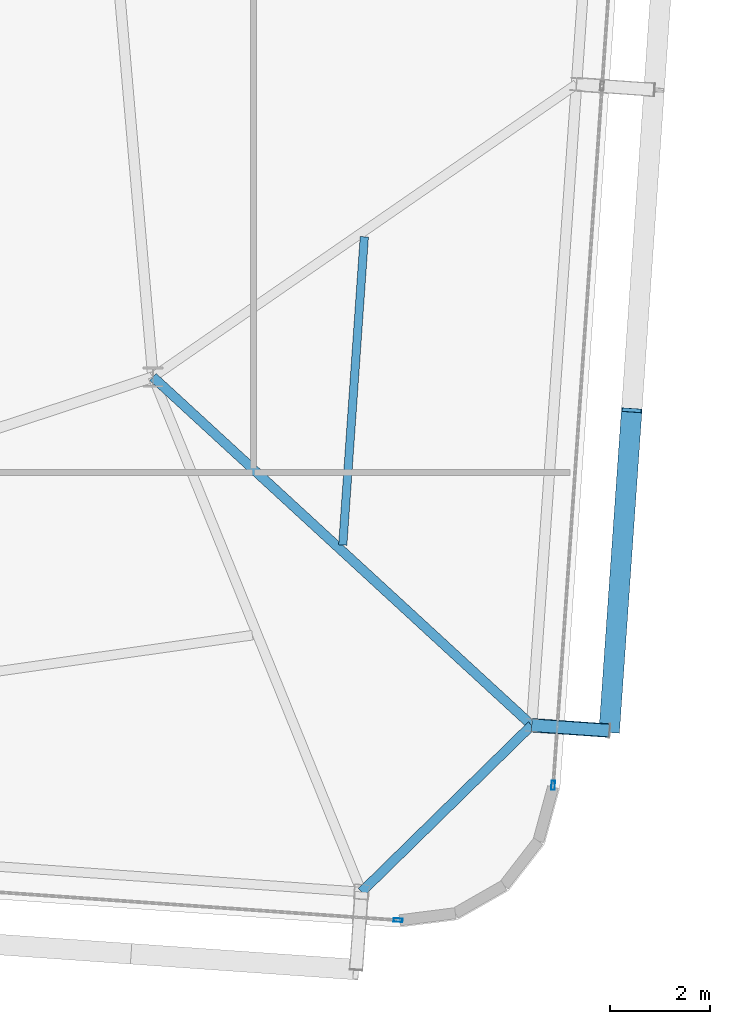
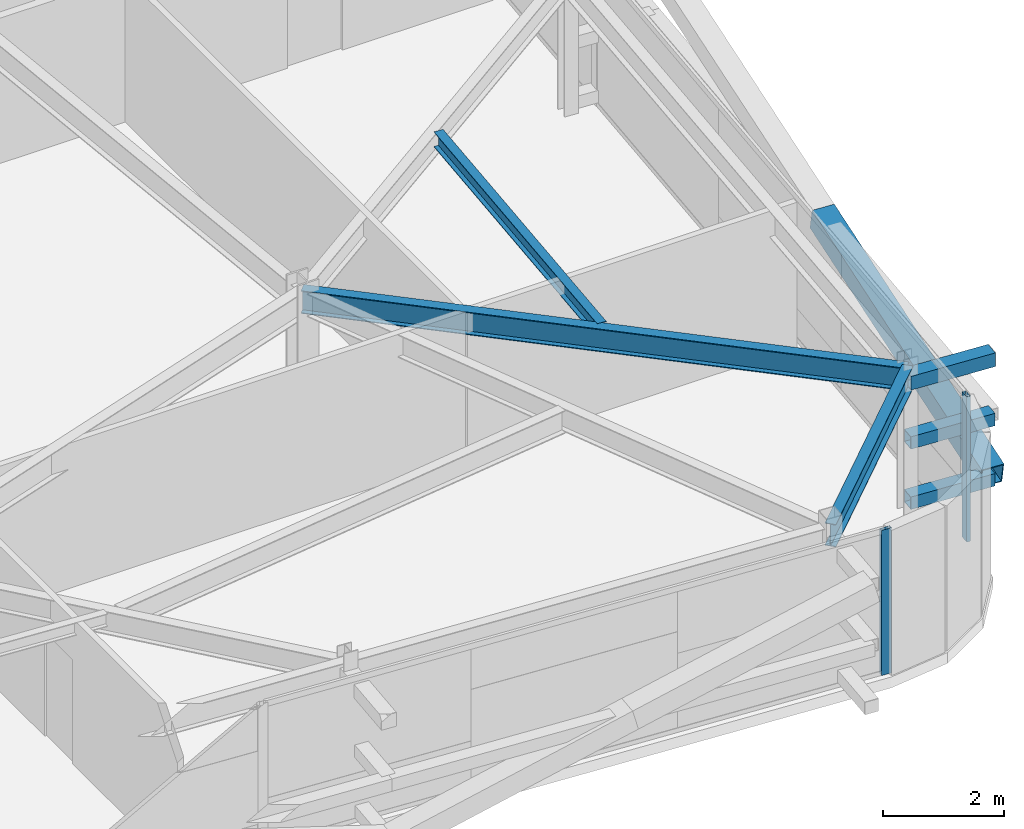
# One storey, part 15 of 39: 6 members, 3 beams, 2 elements without a shape of their own.
"""IFC4 building model written with IfcOpenShell, lengths in metres."""

from ifc_helpers import new_model, si_unit, direction, frame, origin, origin_2d, place, context, subcontext, project, spatial, hollow_rectangle, i_section, extrude, source, transform, mapped, material, layer, layer_set, material_profile, profile_set, type_object, element, aggregate, save


model = new_model("IFC4")

# Units and contexts
model_context = context("Model", 3, precision=1e-05, world=origin(), true_north=direction((0.0, 1.0)))
body_context = subcontext(model_context, "Body", "Model", "MODEL_VIEW")
ifc_project = project(units=[si_unit("LENGTHUNIT", "METRE"), si_unit("AREAUNIT", "SQUARE_METRE"), si_unit("VOLUMEUNIT", "CUBIC_METRE"), si_unit("PLANEANGLEUNIT", "RADIAN"), si_unit("MASSUNIT", "GRAM", prefix="KILO")], contexts=[model_context])

# Site, building, storey
site_placement = place(None, origin())
site = spatial("IfcSite", under=ifc_project, at=site_placement, CompositionType="ELEMENT")
building_placement = place(site_placement, origin())
building = spatial("IfcBuilding", under=site, at=building_placement, Name="Taldren Reach Tower", CompositionType="ELEMENT")
storey_placement = place(building_placement, frame((0.0, 0.0, 126.699951171875)))
storey = spatial("IfcBuildingStorey", under=building, at=storey_placement, Name="L38", CompositionType="ELEMENT", Elevation=126.699951171875)

# Members
ifc_material_1 = material(Name="Steel Gr 450 (C450L0)", Category="steel")
ifc_material_profile_1 = material_profile(ifc_material_1, hollow_rectangle(XDim=0.27490234375, YDim=0.27490234375, WallThickness=0.00927734375, at=origin_2d()), Name="275x275x9.3SHS")
ifc_profile_set_1 = profile_set([ifc_material_profile_1], Name="Steel Gr 450 (C450L0)")
member_type_1 = type_object("IfcMemberType", Name="MB-TIE273", PredefinedType="STRUT", material=ifc_profile_set_1)
shared_shape_1 = source(origin(), body_context, "Body", "SweptSolid", [
    extrude(hollow_rectangle(XDim=0.27490234375, YDim=0.27490234375, WallThickness=0.00927734375, at=origin_2d()), origin(), (0.0, 0.0, 1.0), 1.5498046875),
])
member_1_placement = place(storey_placement, frame((59.54541015625, 5.562744140625, 2.650146484375), z_axis=(0.997573320145, -0.069623781384, 0.0), x_axis=(0.069623781384, 0.997573320145, 0.0)))
element("IfcMember", 1, at=member_1_placement, inside=storey, type_object=member_type_1, Name="Exoskeleton diaphragm tie strut B3-E1 L38", PredefinedType="STRUT", context=body_context, shape_type="MappedRepresentation", body=[
    mapped(shared_shape_1, transform((0.0, 0.0, 0.0), scale=1.0)),
])
ifc_material_2 = material(Name="Steel Gr 350 (C350L0)", Category="steel")
ifc_material_profile_2 = material_profile(ifc_material_2, hollow_rectangle(XDim=0.25, YDim=0.25, WallThickness=0.010009765625, at=origin_2d()), Name="250x250x10.0SHS")
ifc_profile_set_2 = profile_set([ifc_material_profile_2], Name="Steel Gr 350 (C350L0)")
member_type_2 = type_object("IfcMemberType", Name="MB-POST250", PredefinedType="POST", material=ifc_profile_set_2)
shared_shape_2 = source(origin(), body_context, "Body", "SweptSolid", [
    extrude(hollow_rectangle(XDim=0.25, YDim=0.25, WallThickness=0.010009765625, at=origin_2d()), origin(), (0.0, 0.0, 1.0), 1.5498046875),
])
for number, where, z_axis, x_axis, name in (
    (2, (59.54541015625, 5.562744140625, 0.219970703125), (0.997573320145, -0.069623781384, 0.0), (0.069623781384, 0.997573320145, 0.0), "Exoskeleton base diaphragm tie strut B3-E1 L38"),
    (3, (59.54541015625, 5.562744140625, 1.43505859375), (0.997573320145, -0.069623781384, 0.0), (0.069623781384, 0.997573320145, 0.0), "Exoskeleton mid-tier diaphragm tie B3-E1 L38"),
):
    element("IfcMember", number, at=place(storey_placement, frame(where, z_axis=z_axis, x_axis=x_axis)), inside=storey, type_object=member_type_2, Name=name, PredefinedType="POST", context=body_context, shape_type="MappedRepresentation", body=[
        mapped(shared_shape_2, transform((0.0, 0.0, 0.0), scale=1.0)),
    ])

# Beams
ifc_material_3 = material(Name="Steel Gr 350 (350PLUS)", Category="steel")
ifc_material_profile_3 = material_profile(ifc_material_3, i_section(OverallWidth=0.18994140625, OverallDepth=0.4541015625, WebThickness=0.008544921875, FlangeThickness=0.0126953125, at=origin_2d()), Name="460UB67.1")
ifc_profile_set_3 = profile_set([ifc_material_profile_3], Name="Steel Gr 350 (350PLUS)")
beam_type_1 = type_object("IfcBeamType", Name="SP-UB460B", PredefinedType="SPANDREL", material=ifc_profile_set_3)
shared_shape_3 = source(origin(), body_context, "Body", "SweptSolid", [
    extrude(i_section(OverallWidth=0.18994140625, OverallDepth=0.4541015625, WebThickness=0.008544921875, FlangeThickness=0.0126953125, at=origin_2d()), origin(), (0.0, 0.0, 1.0), 4.745849609375),
])
beam_1_placement = place(storey_placement, frame((56.155517578125, 2.2412109375, 2.703125), z_axis=(0.714271982806, 0.699868226581, 0.0), x_axis=(-0.699868226581, 0.714271982806, 0.0)))
element("IfcBeam", 4, at=beam_1_placement, inside=storey, type_object=beam_type_1, Name="Perimeter spandrel B3 S6-E1 L38", PredefinedType="SPANDREL", context=body_context, shape_type="MappedRepresentation", body=[
    mapped(shared_shape_3, transform((0.0, 0.0, 0.0), scale=1.0)),
])
ifc_material_profile_4 = material_profile(ifc_material_3, i_section(OverallWidth=0.19091796875, OverallDepth=0.4599609375, WebThickness=0.010009765625, FlangeThickness=0.01611328125, at=origin_2d()), Name="460UB82.1")
ifc_profile_set_4 = profile_set([ifc_material_profile_4], Name="Steel Gr 350 (350PLUS)")
beam_type_2 = type_object("IfcBeamType", Name="BM-UB460A", PredefinedType="BEAM", material=ifc_profile_set_4)
shared_shape_4 = source(origin(), body_context, "Body", "SweptSolid", [
    extrude(i_section(OverallWidth=0.19091796875, OverallDepth=0.4599609375, WebThickness=0.010009765625, FlangeThickness=0.01611328125, at=origin_2d()), origin(), (0.0, 0.0, 1.0), 10.249755859375),
])
beam_2_placement = place(storey_placement, frame((52.0, 12.5, 2.699951171875), z_axis=(0.736150772628, -0.676817582483, 0.0), x_axis=(0.676817582483, 0.736150772628, 0.0)))
element("IfcBeam", 5, at=beam_2_placement, inside=storey, type_object=beam_type_2, Name="Primary floor girder B3-E1 L38", PredefinedType="BEAM", context=body_context, shape_type="MappedRepresentation", body=[
    mapped(shared_shape_4, transform((0.0, 0.0, 0.0), scale=1.0)),
])
ifc_material_4 = material(Name="Steel Gr 300 (300PLUS, 300 MPa)", Category="steel")
ifc_material_profile_5 = material_profile(ifc_material_4, i_section(OverallWidth=0.166015625, OverallDepth=0.306884765625, WebThickness=0.006591796875, FlangeThickness=0.01171875, at=origin_2d()), Name="310UB46.2")
ifc_profile_set_5 = profile_set([ifc_material_profile_5], Name="Steel Gr 300 (300PLUS, 300 MPa)")
beam_type_3 = type_object("IfcBeamType", Name="JS-UB310", PredefinedType="JOIST", material=ifc_profile_set_5)
shared_shape_5 = source(origin(), body_context, "Body", "SweptSolid", [
    extrude(i_section(OverallWidth=0.166015625, OverallDepth=0.306884765625, WebThickness=0.006591796875, FlangeThickness=0.01171875, at=origin_2d()), origin(), (0.0, 0.0, 1.0), 6.155517578125),
])
beam_3_placement = place(storey_placement, frame((55.78125, 9.1533203125, 2.776611328125), z_axis=(0.069764400024, 0.997563495969, 0.0), x_axis=(-0.997563495969, 0.069764400024, 0.0)))
element("IfcBeam", 6, at=beam_3_placement, inside=storey, type_object=beam_type_3, Name="Secondary floor joist B3 J7 L38", PredefinedType="JOIST", context=body_context, shape_type="MappedRepresentation", body=[
    mapped(shared_shape_5, transform((0.0, 0.0, 0.0), scale=1.0)),
])

# Member
ifc_material_profile_6 = material_profile(ifc_material_1, hollow_rectangle(XDim=0.409912109375, YDim=0.409912109375, WallThickness=0.01611328125, at=origin_2d()), Name="410x410x16.0SHS")
ifc_profile_set_6 = profile_set([ifc_material_profile_6], Name="Steel Gr 450 (C450L0)")
member_type_3 = type_object("IfcMemberType", Name="MB-EXO406", PredefinedType="BRACE", material=ifc_profile_set_6)
shared_shape_6 = source(origin(), body_context, "Body", "SweptSolid", [
    extrude(hollow_rectangle(XDim=0.409912109375, YDim=0.409912109375, WallThickness=0.01611328125, at=origin_2d()), origin(), (0.0, 0.0, 1.0), 6.51416015625),
])
member_2_placement = place(storey_placement, frame((61.091552734375, 5.454833984375, 0.219970703125), z_axis=(0.068547644544, 0.980055169399, 0.186529046964), x_axis=(-0.997562951496, 0.069772185021, 0.0)))
element("IfcMember", 7, at=member_2_placement, inside=storey, type_object=member_type_3, Name="Exoskeleton Diagrid Brace B3-E1 L38", PredefinedType="BRACE", context=body_context, shape_type="MappedRepresentation", body=[
    mapped(shared_shape_6, transform((0.0, 0.0, 0.0), scale=1.0)),
])

# Curtain wall, member
ifc_material_5 = material(Name="Aluminium and Low-E Glass Unitised System", Category="aluminium")
ifc_layer = layer(ifc_material_5, 0.159912109375)
ifc_layer_set = layer_set([ifc_layer], Name="Aluminium and Low-E Glass Unitised System")
curtain_wall_type = type_object("IfcCurtainWallType", Name="CW-SYS-4", PredefinedType="NOTDEFINED", material=ifc_layer_set)
curtain_wall_1_placement = place(storey_placement, origin())
curtain_wall_1 = element("IfcCurtainWall", 8, at=curtain_wall_1_placement, inside=storey, type_object=curtain_wall_type, Name="Unitised curtain wall CW-L38-S", PredefinedType="NOTDEFINED")
ifc_material_6 = material(Name="Anodised Aluminium 6063-T6", Category="aluminium")
ifc_material_profile_7 = material_profile(ifc_material_6, hollow_rectangle(XDim=0.070068359375, YDim=0.179931640625, WallThickness=0.00390625, at=origin_2d()), Name="ALU-180x70x4RHS")
ifc_profile_set_7 = profile_set([ifc_material_profile_7], Name="Anodised Aluminium 6063-T6")
member_type_4 = type_object("IfcMemberType", Name="CW-MUL-180", PredefinedType="MULLION", material=ifc_profile_set_7)
shared_shape_7 = source(origin(), body_context, "Body", "SweptSolid", [
    extrude(hollow_rectangle(XDim=0.070068359375, YDim=0.179931640625, WallThickness=0.00390625, at=origin_2d()), origin(), (0.0, 0.0, 1.0), 2.929931640625),
])
member_3_placement = place(storey_placement, frame((56.883056640625, 1.67919921875, 0.0), z_axis=(0.0, 0.0, 1.0), x_axis=(0.06975651593, 0.99756404731, 0.0)))
member_3 = element("IfcMember", 9, at=member_3_placement, type_object=member_type_4, Name="CW-4 mullion 5", PredefinedType="MULLION", context=body_context, shape_type="MappedRepresentation", body=[
    mapped(shared_shape_7, transform((0.0, 0.0, 0.0), scale=1.0)),
])
aggregate(curtain_wall_1, [member_3])

curtain_wall_2_placement = place(storey_placement, origin())
curtain_wall_2 = element("IfcCurtainWall", 10, at=curtain_wall_2_placement, inside=storey, type_object=curtain_wall_type, Name="Unitised curtain wall CW-L38-E", PredefinedType="NOTDEFINED")
member_4_placement = place(storey_placement, frame((59.972900390625, 4.365234375, 0.0), z_axis=(0.0, 0.0, 1.0), x_axis=(-0.997564052812, 0.069756437251, 0.0)))
member_4 = element("IfcMember", 11, at=member_4_placement, type_object=member_type_4, Name="CW-4 mullion 1", PredefinedType="MULLION", context=body_context, shape_type="MappedRepresentation", body=[
    mapped(shared_shape_7, transform((0.0, 0.0, 0.0), scale=1.0)),
])
aggregate(curtain_wall_2, [member_4])

save(model, "model.ifc")
